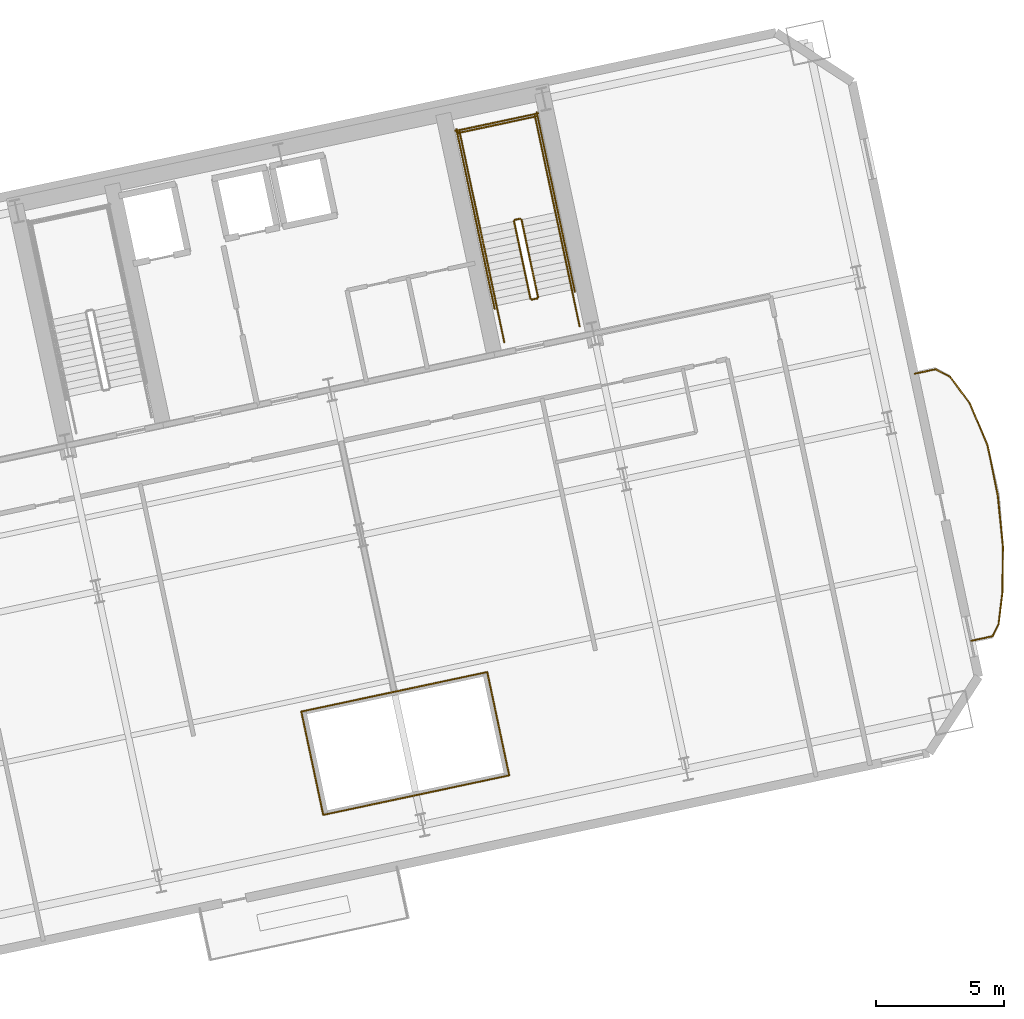
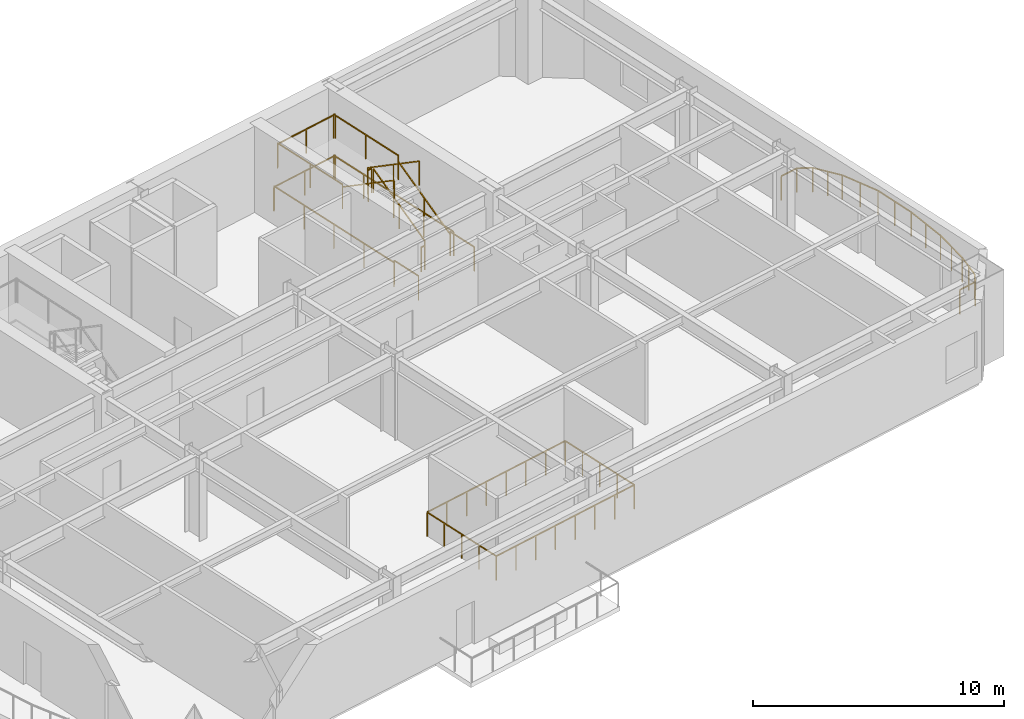
# One storey, part 15 of 15: 28 railings.
"""IFC4 building model written with IfcOpenShell, lengths in metres."""

from ifc_helpers import new_model, si_unit, direction, frame, origin, origin_2d, place, context, subcontext, project, spatial, rectangle, extrude, material, type_object, element, save


model = new_model("IFC4")

# Units and contexts
model_context = context("Model", 3, precision=1e-05, world=origin(), true_north=direction((0.0, 1.0)))
body_context = subcontext(model_context, "Body", "Model", "MODEL_VIEW")
ifc_project = project(units=[si_unit("LENGTHUNIT", "METRE"), si_unit("AREAUNIT", "SQUARE_METRE"), si_unit("VOLUMEUNIT", "CUBIC_METRE"), si_unit("PLANEANGLEUNIT", "RADIAN"), si_unit("MASSUNIT", "GRAM", prefix="KILO")], contexts=[model_context])

# Site, building, storey
site_placement = place(None, origin())
site = spatial("IfcSite", under=ifc_project, at=site_placement, CompositionType="ELEMENT")
building_placement = place(site_placement, origin())
building = spatial("IfcBuilding", under=site, at=building_placement, Name="Haevon Station Towers", CompositionType="ELEMENT")
storey_placement = place(building_placement, frame((0.0, 0.0, 73.5)))
storey = spatial("IfcBuildingStorey", under=building, at=storey_placement, Name="L19", CompositionType="ELEMENT", Elevation=73.5)

# Railings
ifc_material = material(Name="Steel S355", Category="steel")
railing_type_1 = type_object("IfcRailingType", Name="BAL-ATR1200", PredefinedType="BALUSTRADE", material=ifc_material)
railing_1_placement = place(storey_placement, frame((108.758544921875, 23.050048828125, 0.0)))
element("IfcRailing", 1, at=railing_1_placement, inside=storey, type_object=railing_type_1, Name="L19 Atrium Void Balustrade 1", PredefinedType="BALUSTRADE", context=body_context, shape_type="SweptSolid", body=[
    extrude(rectangle(XDim=0.048095703125, YDim=0.048095703125, at=origin_2d()), frame((0.0, 0.0, 1.17578125), z_axis=(0.978148717371, 0.207906437384, 0.0), x_axis=(-0.207906437384, 0.978148717371, 0.0)), (0.0, 0.0, 1.0), 7.40966796875),
    extrude(rectangle(XDim=0.0419921875, YDim=0.0419921875, at=origin_2d()), origin(), (0.0, 0.0, 1.0), 1.15185546875),
    extrude(rectangle(XDim=0.0419921875, YDim=0.0419921875, at=origin_2d()), frame((1.035400390625, 0.219970703125, 0.0)), (0.0, 0.0, 1.0), 1.15185546875),
    extrude(rectangle(XDim=0.0419921875, YDim=0.0419921875, at=origin_2d()), frame((2.07080078125, 0.440185546875, 0.0)), (0.0, 0.0, 1.0), 1.15185546875),
    extrude(rectangle(XDim=0.0419921875, YDim=0.0419921875, at=origin_2d()), frame((3.106201171875, 0.66015625, 0.0)), (0.0, 0.0, 1.0), 1.15185546875),
    extrude(rectangle(XDim=0.0419921875, YDim=0.0419921875, at=origin_2d()), frame((4.1416015625, 0.88037109375, 0.0)), (0.0, 0.0, 1.0), 1.15185546875),
    extrude(rectangle(XDim=0.0419921875, YDim=0.0419921875, at=origin_2d()), frame((5.177001953125, 1.100341796875, 0.0)), (0.0, 0.0, 1.0), 1.15185546875),
    extrude(rectangle(XDim=0.0419921875, YDim=0.0419921875, at=origin_2d()), frame((6.21240234375, 1.320556640625, 0.0)), (0.0, 0.0, 1.0), 1.15185546875),
    extrude(rectangle(XDim=0.0419921875, YDim=0.0419921875, at=origin_2d()), frame((7.247802734375, 1.54052734375, 0.0)), (0.0, 0.0, 1.0), 1.15185546875),
])
railing_2_placement = place(storey_placement, frame((116.00634765625, 24.590576171875, 0.0)))
element("IfcRailing", 2, at=railing_2_placement, inside=storey, type_object=railing_type_1, Name="L19 Atrium Void Balustrade 2", PredefinedType="BALUSTRADE", context=body_context, shape_type="SweptSolid", body=[
    extrude(rectangle(XDim=0.048095703125, YDim=0.048095703125, at=origin_2d()), frame((0.0, 0.0, 1.17578125), z_axis=(-0.207928976297, 0.978143926432, 0.0), x_axis=(-0.978143926432, -0.207928976297, 0.0)), (0.0, 0.0, 1.0), 4.11669921875),
    extrude(rectangle(XDim=0.0419921875, YDim=0.0419921875, at=origin_2d()), origin(), (0.0, 0.0, 1.0), 1.15185546875),
    extrude(rectangle(XDim=0.0419921875, YDim=0.0419921875, at=origin_2d()), frame((-0.2138671875, 1.006591796875, 0.0)), (0.0, 0.0, 1.0), 1.15185546875),
    extrude(rectangle(XDim=0.0419921875, YDim=0.0419921875, at=origin_2d()), frame((-0.427978515625, 2.01318359375, 0.0)), (0.0, 0.0, 1.0), 1.15185546875),
    extrude(rectangle(XDim=0.0419921875, YDim=0.0419921875, at=origin_2d()), frame((-0.64208984375, 3.02001953125, 0.0)), (0.0, 0.0, 1.0), 1.15185546875),
    extrude(rectangle(XDim=0.0419921875, YDim=0.0419921875, at=origin_2d()), frame((-0.85595703125, 4.026611328125, 0.0)), (0.0, 0.0, 1.0), 1.15185546875),
])
railing_3_placement = place(storey_placement, frame((115.150390625, 28.6171875, 0.0)))
element("IfcRailing", 3, at=railing_3_placement, inside=storey, type_object=railing_type_1, Name="L19 Atrium Void Balustrade 3", PredefinedType="BALUSTRADE", context=body_context, shape_type="SweptSolid", body=[
    extrude(rectangle(XDim=0.048095703125, YDim=0.048095703125, at=origin_2d()), frame((0.0, 0.0, 1.17578125), z_axis=(-0.978148717371, -0.207906437384, 0.0), x_axis=(0.207906437384, -0.978148717371, 0.0)), (0.0, 0.0, 1.0), 7.40966796875),
    extrude(rectangle(XDim=0.0419921875, YDim=0.0419921875, at=origin_2d()), origin(), (0.0, 0.0, 1.0), 1.15185546875),
    extrude(rectangle(XDim=0.0419921875, YDim=0.0419921875, at=origin_2d()), frame((-1.035400390625, -0.219970703125, 0.0)), (0.0, 0.0, 1.0), 1.15185546875),
    extrude(rectangle(XDim=0.0419921875, YDim=0.0419921875, at=origin_2d()), frame((-2.07080078125, -0.440185546875, 0.0)), (0.0, 0.0, 1.0), 1.15185546875),
    extrude(rectangle(XDim=0.0419921875, YDim=0.0419921875, at=origin_2d()), frame((-3.106201171875, -0.66015625, 0.0)), (0.0, 0.0, 1.0), 1.15185546875),
    extrude(rectangle(XDim=0.0419921875, YDim=0.0419921875, at=origin_2d()), frame((-4.1416015625, -0.88037109375, 0.0)), (0.0, 0.0, 1.0), 1.15185546875),
    extrude(rectangle(XDim=0.0419921875, YDim=0.0419921875, at=origin_2d()), frame((-5.177001953125, -1.100341796875, 0.0)), (0.0, 0.0, 1.0), 1.15185546875),
    extrude(rectangle(XDim=0.0419921875, YDim=0.0419921875, at=origin_2d()), frame((-6.21240234375, -1.320556640625, 0.0)), (0.0, 0.0, 1.0), 1.15185546875),
    extrude(rectangle(XDim=0.0419921875, YDim=0.0419921875, at=origin_2d()), frame((-7.247802734375, -1.54052734375, 0.0)), (0.0, 0.0, 1.0), 1.15185546875),
])
railing_4_placement = place(storey_placement, frame((107.902587890625, 27.07666015625, 0.0)))
element("IfcRailing", 4, at=railing_4_placement, inside=storey, type_object=railing_type_1, Name="L19 Atrium Void Balustrade 4", PredefinedType="BALUSTRADE", context=body_context, shape_type="SweptSolid", body=[
    extrude(rectangle(XDim=0.048095703125, YDim=0.048095703125, at=origin_2d()), frame((0.0, 0.0, 1.17578125), z_axis=(0.207928976297, -0.978143926432, 0.0), x_axis=(0.978143926432, 0.207928976297, 0.0)), (0.0, 0.0, 1.0), 4.11669921875),
    extrude(rectangle(XDim=0.0419921875, YDim=0.0419921875, at=origin_2d()), origin(), (0.0, 0.0, 1.0), 1.15185546875),
    extrude(rectangle(XDim=0.0419921875, YDim=0.0419921875, at=origin_2d()), frame((0.2138671875, -1.006591796875, 0.0)), (0.0, 0.0, 1.0), 1.15185546875),
    extrude(rectangle(XDim=0.0419921875, YDim=0.0419921875, at=origin_2d()), frame((0.427978515625, -2.01318359375, 0.0)), (0.0, 0.0, 1.0), 1.15185546875),
    extrude(rectangle(XDim=0.0419921875, YDim=0.0419921875, at=origin_2d()), frame((0.64208984375, -3.02001953125, 0.0)), (0.0, 0.0, 1.0), 1.15185546875),
    extrude(rectangle(XDim=0.0419921875, YDim=0.0419921875, at=origin_2d()), frame((0.85595703125, -4.026611328125, 0.0)), (0.0, 0.0, 1.0), 1.15185546875),
])
railing_type_2 = type_object("IfcRailingType", Name="GRD-EXT1200", PredefinedType="GUARDRAIL", material=ifc_material)
railing_5_placement = place(storey_placement, frame((134.02783203125, 29.838134765625, 0.0)))
element("IfcRailing", 5, at=railing_5_placement, inside=storey, type_object=railing_type_2, Name="L19 Perimeter Guardrail 1", PredefinedType="GUARDRAIL", context=body_context, shape_type="SweptSolid", body=[
    extrude(rectangle(XDim=0.048095703125, YDim=0.048095703125, at=origin_2d()), frame((0.0, 0.0, 1.17578125), z_axis=(0.977631568174, 0.210324789101, 0.0), x_axis=(-0.210324789101, 0.977631568174, 0.0)), (0.0, 0.0, 1.0), 0.838134765625),
    extrude(rectangle(XDim=0.0419921875, YDim=0.0419921875, at=origin_2d()), origin(), (0.0, 0.0, 1.0), 1.15185546875),
    extrude(rectangle(XDim=0.0419921875, YDim=0.0419921875, at=origin_2d()), frame((0.8193359375, 0.17626953125, 0.0)), (0.0, 0.0, 1.0), 1.15185546875),
])
railing_6_placement = place(storey_placement, frame((134.84716796875, 30.014404296875, 0.0)))
element("IfcRailing", 6, at=railing_6_placement, inside=storey, type_object=railing_type_2, Name="L19 Perimeter Guardrail 2", PredefinedType="GUARDRAIL", context=body_context, shape_type="SweptSolid", body=[
    extrude(rectangle(XDim=0.048095703125, YDim=0.048095703125, at=origin_2d()), frame((0.0, 0.0, 1.17578125), z_axis=(0.450358242908, 0.892847945086, 0.0), x_axis=(-0.892847945086, 0.450358242908, 0.0)), (0.0, 0.0, 1.0), 0.527587890625),
    extrude(rectangle(XDim=0.0419921875, YDim=0.0419921875, at=origin_2d()), origin(), (0.0, 0.0, 1.0), 1.15185546875),
    extrude(rectangle(XDim=0.0419921875, YDim=0.0419921875, at=origin_2d()), frame((0.237548828125, 0.470947265625, 0.0)), (0.0, 0.0, 1.0), 1.15185546875),
])
railing_7_placement = place(storey_placement, frame((135.084716796875, 30.4853515625, 0.0)))
element("IfcRailing", 7, at=railing_7_placement, inside=storey, type_object=railing_type_2, Name="L19 Perimeter Guardrail 3", PredefinedType="GUARDRAIL", context=body_context, shape_type="SweptSolid", body=[
    extrude(rectangle(XDim=0.048095703125, YDim=0.048095703125, at=origin_2d()), frame((0.0, 0.0, 1.17578125), z_axis=(0.120366724778, 0.992729495667, 0.0), x_axis=(-0.992729495667, 0.120366724778, 0.0)), (0.0, 0.0, 1.0), 1.2373046875),
    extrude(rectangle(XDim=0.0419921875, YDim=0.0419921875, at=origin_2d()), origin(), (0.0, 0.0, 1.0), 1.15185546875),
    extrude(rectangle(XDim=0.0419921875, YDim=0.0419921875, at=origin_2d()), frame((0.074462890625, 0.6142578125, 0.0)), (0.0, 0.0, 1.0), 1.15185546875),
    extrude(rectangle(XDim=0.0419921875, YDim=0.0419921875, at=origin_2d()), frame((0.14892578125, 1.228271484375, 0.0)), (0.0, 0.0, 1.0), 1.15185546875),
])
railing_8_placement = place(storey_placement, frame((135.233642578125, 31.713623046875, 0.0)))
element("IfcRailing", 8, at=railing_8_placement, inside=storey, type_object=railing_type_2, Name="L19 Perimeter Guardrail 4", PredefinedType="GUARDRAIL", context=body_context, shape_type="SweptSolid", body=[
    extrude(rectangle(XDim=0.048095703125, YDim=0.048095703125, at=origin_2d()), frame((0.0, 0.0, 1.17578125), z_axis=(0.01185687397, 0.999929704799, 0.0), x_axis=(-0.999929704799, 0.01185687397, 0.0)), (0.0, 0.0, 1.0), 1.79150390625),
    extrude(rectangle(XDim=0.0419921875, YDim=0.0419921875, at=origin_2d()), origin(), (0.0, 0.0, 1.0), 1.15185546875),
    extrude(rectangle(XDim=0.0419921875, YDim=0.0419921875, at=origin_2d()), frame((0.0107421875, 0.8955078125, 0.0)), (0.0, 0.0, 1.0), 1.15185546875),
    extrude(rectangle(XDim=0.0419921875, YDim=0.0419921875, at=origin_2d()), frame((0.021240234375, 1.791259765625, 0.0)), (0.0, 0.0, 1.0), 1.15185546875),
])
railing_9_placement = place(storey_placement, frame((135.2548828125, 33.5048828125, 0.0)))
element("IfcRailing", 9, at=railing_9_placement, inside=storey, type_object=railing_type_2, Name="L19 Perimeter Guardrail 5", PredefinedType="GUARDRAIL", context=body_context, shape_type="SweptSolid", body=[
    extrude(rectangle(XDim=0.048095703125, YDim=0.048095703125, at=origin_2d()), frame((0.0, 0.0, 1.17578125), z_axis=(-0.100083047105, 0.994979087058, 0.0), x_axis=(-0.994979087058, -0.100083047105, 0.0)), (0.0, 0.0, 1.0), 2.002685546875),
    extrude(rectangle(XDim=0.0419921875, YDim=0.0419921875, at=origin_2d()), origin(), (0.0, 0.0, 1.0), 1.15185546875),
    extrude(rectangle(XDim=0.0419921875, YDim=0.0419921875, at=origin_2d()), frame((-0.10009765625, 0.996337890625, 0.0)), (0.0, 0.0, 1.0), 1.15185546875),
    extrude(rectangle(XDim=0.0419921875, YDim=0.0419921875, at=origin_2d()), frame((-0.200439453125, 1.99267578125, 0.0)), (0.0, 0.0, 1.0), 1.15185546875),
])
railing_10_placement = place(storey_placement, frame((135.054443359375, 35.49755859375, 0.0)))
element("IfcRailing", 10, at=railing_10_placement, inside=storey, type_object=railing_type_2, Name="L19 Perimeter Guardrail 6", PredefinedType="GUARDRAIL", context=body_context, shape_type="SweptSolid", body=[
    extrude(rectangle(XDim=0.048095703125, YDim=0.048095703125, at=origin_2d()), frame((0.0, 0.0, 1.17578125), z_axis=(-0.199576180302, 0.979882313472, 0.0), x_axis=(-0.979882313472, -0.199576180302, 0.0)), (0.0, 0.0, 1.0), 1.993896484375),
    extrude(rectangle(XDim=0.0419921875, YDim=0.0419921875, at=origin_2d()), origin(), (0.0, 0.0, 1.0), 1.15185546875),
    extrude(rectangle(XDim=0.0419921875, YDim=0.0419921875, at=origin_2d()), frame((-0.198974609375, 0.97705078125, 0.0)), (0.0, 0.0, 1.0), 1.15185546875),
    extrude(rectangle(XDim=0.0419921875, YDim=0.0419921875, at=origin_2d()), frame((-0.39794921875, 1.953857421875, 0.0)), (0.0, 0.0, 1.0), 1.15185546875),
])
railing_11_placement = place(storey_placement, frame((134.656494140625, 37.451416015625, 0.0)))
element("IfcRailing", 11, at=railing_11_placement, inside=storey, type_object=railing_type_2, Name="L19 Perimeter Guardrail 7", PredefinedType="GUARDRAIL", context=body_context, shape_type="SweptSolid", body=[
    extrude(rectangle(XDim=0.048095703125, YDim=0.048095703125, at=origin_2d()), frame((0.0, 0.0, 1.17578125), z_axis=(-0.389389057268, 0.921073374971, 0.0), x_axis=(-0.921073374971, -0.389389057268, 0.0)), (0.0, 0.0, 1.0), 1.777587890625),
    extrude(rectangle(XDim=0.0419921875, YDim=0.0419921875, at=origin_2d()), origin(), (0.0, 0.0, 1.0), 1.15185546875),
    extrude(rectangle(XDim=0.0419921875, YDim=0.0419921875, at=origin_2d()), frame((-0.34619140625, 0.818603515625, 0.0)), (0.0, 0.0, 1.0), 1.15185546875),
    extrude(rectangle(XDim=0.0419921875, YDim=0.0419921875, at=origin_2d()), frame((-0.692138671875, 1.63720703125, 0.0)), (0.0, 0.0, 1.0), 1.15185546875),
])
railing_12_placement = place(storey_placement, frame((133.96435546875, 39.088623046875, 0.0)))
element("IfcRailing", 12, at=railing_12_placement, inside=storey, type_object=railing_type_2, Name="L19 Perimeter Guardrail 8", PredefinedType="GUARDRAIL", context=body_context, shape_type="SweptSolid", body=[
    extrude(rectangle(XDim=0.048095703125, YDim=0.048095703125, at=origin_2d()), frame((0.0, 0.0, 1.17578125), z_axis=(-0.594545936574, 0.804061645213, 0.0), x_axis=(-0.804061645213, -0.594545936574, 0.0)), (0.0, 0.0, 1.0), 1.285400390625),
    extrude(rectangle(XDim=0.0419921875, YDim=0.0419921875, at=origin_2d()), origin(), (0.0, 0.0, 1.0), 1.15185546875),
    extrude(rectangle(XDim=0.0419921875, YDim=0.0419921875, at=origin_2d()), frame((-0.382080078125, 0.5166015625, 0.0)), (0.0, 0.0, 1.0), 1.15185546875),
    extrude(rectangle(XDim=0.0419921875, YDim=0.0419921875, at=origin_2d()), frame((-0.76416015625, 1.033447265625, 0.0)), (0.0, 0.0, 1.0), 1.15185546875),
])
railing_13_placement = place(storey_placement, frame((133.2001953125, 40.1220703125, 0.0)))
element("IfcRailing", 13, at=railing_13_placement, inside=storey, type_object=railing_type_2, Name="L19 Perimeter Guardrail 9", PredefinedType="GUARDRAIL", context=body_context, shape_type="SweptSolid", body=[
    extrude(rectangle(XDim=0.048095703125, YDim=0.048095703125, at=origin_2d()), frame((0.0, 0.0, 1.17578125), z_axis=(-0.883174960407, 0.469043696589, 0.0), x_axis=(-0.469043696589, -0.883174960407, 0.0)), (0.0, 0.0, 1.0), 0.64013671875),
    extrude(rectangle(XDim=0.0419921875, YDim=0.0419921875, at=origin_2d()), origin(), (0.0, 0.0, 1.0), 1.15185546875),
    extrude(rectangle(XDim=0.0419921875, YDim=0.0419921875, at=origin_2d()), frame((-0.5654296875, 0.30029296875, 0.0)), (0.0, 0.0, 1.0), 1.15185546875),
])
railing_14_placement = place(storey_placement, frame((132.634765625, 40.42236328125, 0.0)))
element("IfcRailing", 14, at=railing_14_placement, inside=storey, type_object=railing_type_2, Name="L19 Perimeter Guardrail 10", PredefinedType="GUARDRAIL", context=body_context, shape_type="SweptSolid", body=[
    extrude(rectangle(XDim=0.048095703125, YDim=0.048095703125, at=origin_2d()), frame((0.0, 0.0, 1.17578125), z_axis=(-0.978617737227, -0.20568744343, 0.0), x_axis=(0.20568744343, -0.978617737227, 0.0)), (0.0, 0.0, 1.0), 0.837890625),
    extrude(rectangle(XDim=0.0419921875, YDim=0.0419921875, at=origin_2d()), origin(), (0.0, 0.0, 1.0), 1.15185546875),
    extrude(rectangle(XDim=0.0419921875, YDim=0.0419921875, at=origin_2d()), frame((-0.820068359375, -0.17236328125, 0.0)), (0.0, 0.0, 1.0), 1.15185546875),
])
railing_type_3 = type_object("IfcRailingType", Name="GRD-STR1200", PredefinedType="GUARDRAIL", material=ifc_material)
railing_15_placement = place(storey_placement, frame((117.128662109375, 43.23974609375, 0.175048828125)))
element("IfcRailing", 15, at=railing_15_placement, inside=storey, type_object=railing_type_3, Name="L19 ST4 Stair Guard 1", PredefinedType="GUARDRAIL", context=body_context, shape_type="SweptSolid", body=[
    extrude(rectangle(XDim=0.048095703125, YDim=0.048095703125, at=origin_2d()), frame((0.0, 0.0, 1.17578125), z_axis=(-0.176310905062, 0.829461139329, 0.53000819154), x_axis=(-0.978146762005, -0.207915636689, 0.0)), (0.0, 0.0, 1.0), 3.632080078125),
    extrude(rectangle(XDim=0.0419921875, YDim=0.0419921875, at=origin_2d()), origin(), (0.0, 0.0, 1.0), 1.15185546875),
    extrude(rectangle(XDim=0.0419921875, YDim=0.0419921875, at=origin_2d()), frame((-0.3203125, 1.50634765625, 0.96240234375)), (0.0, 0.0, 1.0), 1.15185546875),
    extrude(rectangle(XDim=0.0419921875, YDim=0.0419921875, at=origin_2d()), frame((-0.640380859375, 3.0126953125, 1.925048828125)), (0.0, 0.0, 1.0), 1.15185546875),
])
railing_16_placement = place(storey_placement, frame((116.428955078125, 46.291015625, 2.10009765625)))
element("IfcRailing", 16, at=railing_16_placement, inside=storey, type_object=railing_type_3, Name="L19 ST4 Stair Guard 2", PredefinedType="GUARDRAIL", context=body_context, shape_type="SweptSolid", body=[
    extrude(rectangle(XDim=0.048095703125, YDim=0.048095703125, at=origin_2d()), frame((0.0, 0.0, 1.17578125), z_axis=(-0.977962931203, -0.208778603291, 0.0), x_axis=(0.208778603291, -0.977962931203, 0.0)), (0.0, 0.0, 1.0), 0.199951171875),
    extrude(rectangle(XDim=0.0419921875, YDim=0.0419921875, at=origin_2d()), origin(), (0.0, 0.0, 1.0), 1.15185546875),
    extrude(rectangle(XDim=0.0419921875, YDim=0.0419921875, at=origin_2d()), frame((-0.195556640625, -0.041748046875, 0.0)), (0.0, 0.0, 1.0), 1.15185546875),
])
for number, where, name in (
    (17, (117.808837890625, 46.533203125, 2.10009765625), "L19 ST4 Stair Guard 3"),
    (18, (114.874267578125, 45.909423828125, 2.10009765625), "L19 ST4 Stair Guard 4"),
):
    element("IfcRailing", number, at=place(storey_placement, frame(where)), inside=storey, type_object=railing_type_3, Name=name, PredefinedType="GUARDRAIL", context=body_context, shape_type="SweptSolid", body=[
        extrude(rectangle(XDim=0.048095703125, YDim=0.048095703125, at=origin_2d()), frame((0.0, 0.0, 1.17578125), z_axis=(-0.207930432828, 0.978143616809, 0.0), x_axis=(-0.978143616809, -0.207930432828, 0.0)), (0.0, 0.0, 1.0), 3.869873046875),
        extrude(rectangle(XDim=0.0419921875, YDim=0.0419921875, at=origin_2d()), origin(), (0.0, 0.0, 1.0), 1.15185546875),
        extrude(rectangle(XDim=0.0419921875, YDim=0.0419921875, at=origin_2d()), frame((-0.40234375, 1.892578125, 0.0)), (0.0, 0.0, 1.0), 1.15185546875),
        extrude(rectangle(XDim=0.0419921875, YDim=0.0419921875, at=origin_2d()), frame((-0.8046875, 3.785400390625, 0.0)), (0.0, 0.0, 1.0), 1.15185546875),
    ])
railing_17_placement = place(storey_placement, frame((117.0634765625, 50.280029296875, 2.10009765625)))
element("IfcRailing", 19, at=railing_17_placement, inside=storey, type_object=railing_type_3, Name="L19 ST4 Stair Guard 5", PredefinedType="GUARDRAIL", context=body_context, shape_type="SweptSolid", body=[
    extrude(rectangle(XDim=0.048095703125, YDim=0.048095703125, at=origin_2d()), frame((0.0, 0.0, 1.17578125), z_axis=(-0.978146839882, -0.207915270313, 0.0), x_axis=(0.207915270313, -0.978146839882, 0.0)), (0.0, 0.0, 1.0), 3.099853515625),
    extrude(rectangle(XDim=0.0419921875, YDim=0.0419921875, at=origin_2d()), origin(), (0.0, 0.0, 1.0), 1.15185546875),
    extrude(rectangle(XDim=0.0419921875, YDim=0.0419921875, at=origin_2d()), frame((-1.51611328125, -0.322265625, 0.0)), (0.0, 0.0, 1.0), 1.15185546875),
    extrude(rectangle(XDim=0.0419921875, YDim=0.0419921875, at=origin_2d()), frame((-3.0322265625, -0.64453125, 0.0)), (0.0, 0.0, 1.0), 1.15185546875),
])
railing_18_placement = place(storey_placement, frame((116.19482421875, 46.18994140625, 2.27490234375)))
element("IfcRailing", 20, at=railing_18_placement, inside=storey, type_object=railing_type_3, Name="L19 ST4 Stair Guard 6", PredefinedType="GUARDRAIL", context=body_context, shape_type="SweptSolid", body=[
    extrude(rectangle(XDim=0.048095703125, YDim=0.048095703125, at=origin_2d()), frame((0.0, 0.0, 1.17578125), z_axis=(0.176310905062, -0.829461139329, 0.53000819154), x_axis=(0.978146762005, 0.207915636689, 0.0)), (0.0, 0.0, 1.0), 3.632080078125),
    extrude(rectangle(XDim=0.0419921875, YDim=0.0419921875, at=origin_2d()), origin(), (0.0, 0.0, 1.0), 1.15185546875),
    extrude(rectangle(XDim=0.0419921875, YDim=0.0419921875, at=origin_2d()), frame((0.3203125, -1.50634765625, 0.96240234375)), (0.0, 0.0, 1.0), 1.15185546875),
    extrude(rectangle(XDim=0.0419921875, YDim=0.0419921875, at=origin_2d()), frame((0.640380859375, -3.0126953125, 1.925048828125)), (0.0, 0.0, 1.0), 1.15185546875),
])
railing_19_placement = place(storey_placement, frame((117.090087890625, 43.180419921875, 0.0)))
element("IfcRailing", 21, at=railing_19_placement, inside=storey, type_object=railing_type_3, Name="L19 ST4 Stair Guard 7", PredefinedType="GUARDRAIL", context=body_context, shape_type="SweptSolid", body=[
    extrude(rectangle(XDim=0.048095703125, YDim=0.048095703125, at=origin_2d()), frame((0.0, 0.0, 1.17578125), z_axis=(-0.978211583308, -0.207610448392, 0.0), x_axis=(0.207610448392, -0.978211583308, 0.0)), (0.0, 0.0, 1.0), 0.199951171875),
    extrude(rectangle(XDim=0.0419921875, YDim=0.0419921875, at=origin_2d()), origin(), (0.0, 0.0, 1.0), 1.15185546875),
    extrude(rectangle(XDim=0.0419921875, YDim=0.0419921875, at=origin_2d()), frame((-0.195556640625, -0.04150390625, 0.0)), (0.0, 0.0, 1.0), 1.15185546875),
])
for number, where, name in (
    (22, (118.75048828125, 42.10205078125, 0.0), "L19 ST4 Stair Guard 8"),
    (23, (115.816162109375, 41.478271484375, 0.0), "L19 ST4 Stair Guard 9"),
):
    element("IfcRailing", number, at=place(storey_placement, frame(where)), inside=storey, type_object=railing_type_3, Name=name, PredefinedType="GUARDRAIL", context=body_context, shape_type="SweptSolid", body=[
        extrude(rectangle(XDim=0.048095703125, YDim=0.048095703125, at=origin_2d()), frame((0.0, 0.0, 1.17578125), z_axis=(-0.207919161079, 0.978146012851, 0.0), x_axis=(-0.978146012851, -0.207919161079, 0.0)), (0.0, 0.0, 1.0), 1.4501953125),
        extrude(rectangle(XDim=0.0419921875, YDim=0.0419921875, at=origin_2d()), origin(), (0.0, 0.0, 1.0), 1.15185546875),
        extrude(rectangle(XDim=0.0419921875, YDim=0.0419921875, at=origin_2d()), frame((-0.301513671875, 1.41845703125, 0.0)), (0.0, 0.0, 1.0), 1.15185546875),
    ])
railing_20_placement = place(storey_placement, frame((118.567626953125, 43.443359375, 0.0)))
element("IfcRailing", 24, at=railing_20_placement, inside=storey, type_object=railing_type_3, Name="L19 ST4 Stair Guard 10", PredefinedType="GUARDRAIL", context=body_context, shape_type="SweptSolid", body=[
    extrude(rectangle(XDim=0.048095703125, YDim=0.048095703125, at=origin_2d()), frame((0.0, 0.0, 1.17578125), z_axis=(-0.207908168386, 0.978148349443, 0.0), x_axis=(-0.978148349443, -0.207908168386, 0.0)), (0.0, 0.0, 1.0), 7.150146484375),
    extrude(rectangle(XDim=0.0419921875, YDim=0.0419921875, at=origin_2d()), origin(), (0.0, 0.0, 1.0), 1.15185546875),
    extrude(rectangle(XDim=0.0419921875, YDim=0.0419921875, at=origin_2d()), frame((-0.37158203125, 1.74853515625, 0.0)), (0.0, 0.0, 1.0), 1.15185546875),
    extrude(rectangle(XDim=0.0419921875, YDim=0.0419921875, at=origin_2d()), frame((-0.7431640625, 3.4970703125, 0.0)), (0.0, 0.0, 1.0), 1.15185546875),
    extrude(rectangle(XDim=0.0419921875, YDim=0.0419921875, at=origin_2d()), frame((-1.114990234375, 5.245361328125, 0.0)), (0.0, 0.0, 1.0), 1.15185546875),
    extrude(rectangle(XDim=0.0419921875, YDim=0.0419921875, at=origin_2d()), frame((-1.486572265625, 6.993896484375, 0.0)), (0.0, 0.0, 1.0), 1.15185546875),
])
railing_21_placement = place(storey_placement, frame((115.4375, 42.778076171875, 0.0)))
element("IfcRailing", 25, at=railing_21_placement, inside=storey, type_object=railing_type_3, Name="L19 ST4 Stair Guard 11", PredefinedType="GUARDRAIL", context=body_context, shape_type="SweptSolid", body=[
    extrude(rectangle(XDim=0.048095703125, YDim=0.048095703125, at=origin_2d()), frame((0.0, 0.0, 1.17578125), z_axis=(-0.207882442208, 0.978153817261, 0.0), x_axis=(-0.978153817261, -0.207882442208, 0.0)), (0.0, 0.0, 1.0), 7.14990234375),
    extrude(rectangle(XDim=0.0419921875, YDim=0.0419921875, at=origin_2d()), origin(), (0.0, 0.0, 1.0), 1.15185546875),
    extrude(rectangle(XDim=0.0419921875, YDim=0.0419921875, at=origin_2d()), frame((-0.37158203125, 1.74853515625, 0.0)), (0.0, 0.0, 1.0), 1.15185546875),
    extrude(rectangle(XDim=0.0419921875, YDim=0.0419921875, at=origin_2d()), frame((-0.7431640625, 3.496826171875, 0.0)), (0.0, 0.0, 1.0), 1.15185546875),
    extrude(rectangle(XDim=0.0419921875, YDim=0.0419921875, at=origin_2d()), frame((-1.11474609375, 5.2451171875, 0.0)), (0.0, 0.0, 1.0), 1.15185546875),
    extrude(rectangle(XDim=0.0419921875, YDim=0.0419921875, at=origin_2d()), frame((-1.486328125, 6.99365234375, 0.0)), (0.0, 0.0, 1.0), 1.15185546875),
])
railing_22_placement = place(storey_placement, frame((117.140380859375, 50.398681640625, 0.0)))
element("IfcRailing", 26, at=railing_22_placement, inside=storey, type_object=railing_type_3, Name="L19 ST4 Stair Guard 12", PredefinedType="GUARDRAIL", context=body_context, shape_type="SweptSolid", body=[
    extrude(rectangle(XDim=0.048095703125, YDim=0.048095703125, at=origin_2d()), frame((0.0, 0.0, 1.17578125), z_axis=(-0.978135717418, -0.207967589567, 0.0), x_axis=(0.207967589567, -0.978135717418, 0.0)), (0.0, 0.0, 1.0), 3.300048828125),
    extrude(rectangle(XDim=0.0419921875, YDim=0.0419921875, at=origin_2d()), origin(), (0.0, 0.0, 1.0), 1.15185546875),
    extrude(rectangle(XDim=0.0419921875, YDim=0.0419921875, at=origin_2d()), frame((-1.61376953125, -0.34326171875, 0.0)), (0.0, 0.0, 1.0), 1.15185546875),
    extrude(rectangle(XDim=0.0419921875, YDim=0.0419921875, at=origin_2d()), frame((-3.227783203125, -0.686279296875, 0.0)), (0.0, 0.0, 1.0), 1.15185546875),
])
railing_type_4 = type_object("IfcRailingType", Name="HND-STR900", PredefinedType="HANDRAIL", material=ifc_material)
railing_23_placement = place(storey_placement, frame((118.448974609375, 43.5205078125, 0.175048828125)))
element("IfcRailing", 27, at=railing_23_placement, inside=storey, type_object=railing_type_4, Name="L19 ST4 Stair Handrail 1", PredefinedType="HANDRAIL", context=body_context, shape_type="SweptSolid", body=[
    extrude(rectangle(XDim=0.048095703125, YDim=0.048095703125, at=origin_2d()), frame((0.0, 0.0, 0.8759765625), z_axis=(-0.176245776117, 0.829470967688, 0.530014471655), x_axis=(-0.978162879887, -0.207839795062, 0.0)), (0.0, 0.0, 1.0), 3.632080078125),
    extrude(rectangle(XDim=0.0419921875, YDim=0.0419921875, at=origin_2d()), origin(), (0.0, 0.0, 1.0), 0.851806640625),
    extrude(rectangle(XDim=0.0419921875, YDim=0.0419921875, at=origin_2d()), frame((-0.320068359375, 1.50634765625, 0.96240234375)), (0.0, 0.0, 1.0), 0.851806640625),
    extrude(rectangle(XDim=0.0419921875, YDim=0.0419921875, at=origin_2d()), frame((-0.64013671875, 3.0126953125, 1.925048828125)), (0.0, 0.0, 1.0), 0.851806640625),
])
railing_24_placement = place(storey_placement, frame((114.874267578125, 45.909423828125, 2.27490234375)))
element("IfcRailing", 28, at=railing_24_placement, inside=storey, type_object=railing_type_4, Name="L19 ST4 Stair Handrail 2", PredefinedType="HANDRAIL", context=body_context, shape_type="SweptSolid", body=[
    extrude(rectangle(XDim=0.048095703125, YDim=0.048095703125, at=origin_2d()), frame((0.0, 0.0, 0.8759765625), z_axis=(0.176310905062, -0.829461139329, 0.53000819154), x_axis=(0.978146762005, 0.207915636689, 0.0)), (0.0, 0.0, 1.0), 3.632080078125),
    extrude(rectangle(XDim=0.0419921875, YDim=0.0419921875, at=origin_2d()), origin(), (0.0, 0.0, 1.0), 0.851806640625),
    extrude(rectangle(XDim=0.0419921875, YDim=0.0419921875, at=origin_2d()), frame((0.3203125, -1.50634765625, 0.96240234375)), (0.0, 0.0, 1.0), 0.851806640625),
    extrude(rectangle(XDim=0.0419921875, YDim=0.0419921875, at=origin_2d()), frame((0.640380859375, -3.0126953125, 1.925048828125)), (0.0, 0.0, 1.0), 0.851806640625),
])

save(model, "model.ifc")
